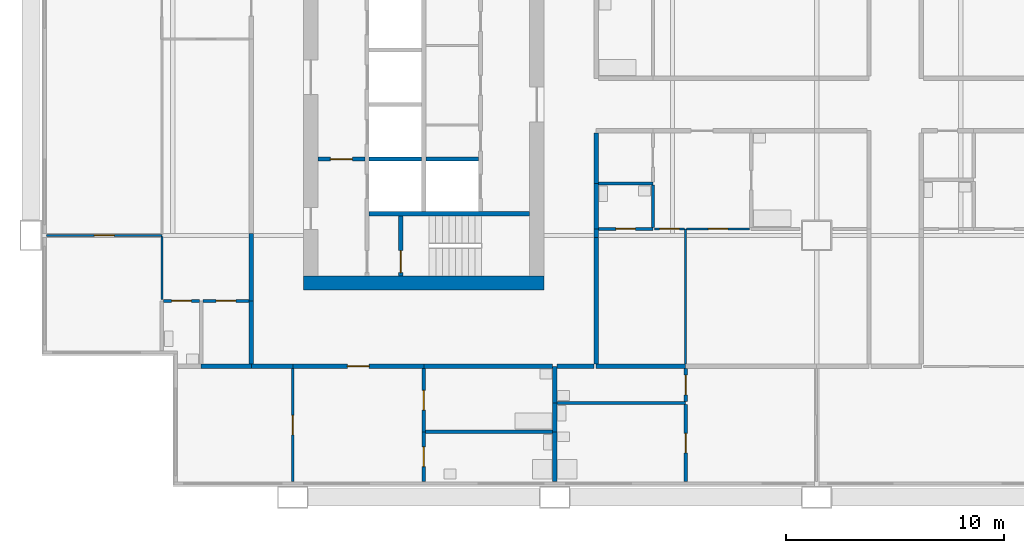
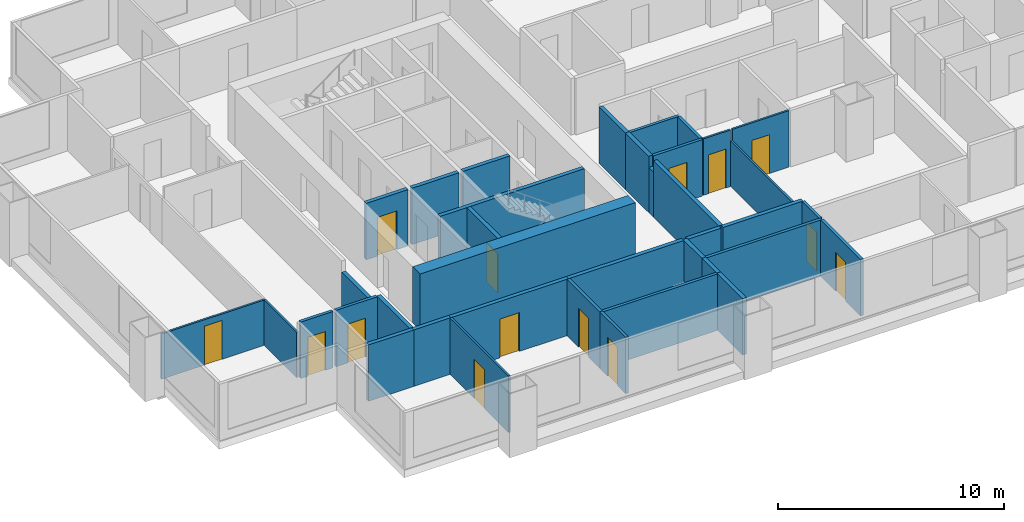
# One storey, part 2 of 11: 38 walls, 14 doors, 14 openings.
"""IFC4 building model written with IfcOpenShell, lengths in metres."""

from ifc_helpers import new_model, si_unit, direction, frame, frame_2d, origin, place, context, subcontext, project, spatial, rectangle, extrude, material, layer, layer_set, type_object, element, fill, save


model = new_model("IFC4")

# Units and contexts
model_context = context("Model", 3, precision=1e-05, world=origin(), true_north=direction((0.0, 1.0)))
body_context = subcontext(model_context, "Body", "Model", "MODEL_VIEW")
ifc_project = project(units=[si_unit("LENGTHUNIT", "METRE"), si_unit("AREAUNIT", "SQUARE_METRE"), si_unit("VOLUMEUNIT", "CUBIC_METRE"), si_unit("PLANEANGLEUNIT", "RADIAN"), si_unit("MASSUNIT", "GRAM", prefix="KILO")], contexts=[model_context])

# Site, building, storey
site_placement = place(None, origin())
site = spatial("IfcSite", under=ifc_project, at=site_placement, CompositionType="ELEMENT")
building_placement = place(site_placement, origin())
building = spatial("IfcBuilding", under=site, at=building_placement, Name="Kitamizu Gate Tower and Museum", CompositionType="ELEMENT")
storey_placement = place(building_placement, frame((0.0, 0.0, 138.0)))
storey = spatial("IfcBuildingStorey", under=building, at=storey_placement, Name="L36", CompositionType="ELEMENT", Elevation=138.0)

# Wall
ifc_material_1 = material(Name="Concrete Fc60", Category="concrete")
ifc_layer_1 = layer(ifc_material_1, 0.64990234375)
ifc_layer_set_1 = layer_set([ifc_layer_1], Name="Concrete Fc60")
wall_type_1 = type_object("IfcWallType", Name="Core wall 650", PredefinedType="SHEAR", material=ifc_layer_set_1)
wall_1_placement = place(storey_placement, frame((12.5, 21.824951171875, 0.0), z_axis=(0.0, 0.0, 1.0), x_axis=(1.0, 0.0, 0.0)))
element("IfcWall", 1, at=wall_1_placement, inside=storey, type_object=wall_type_1, Name="Core wall WS", PredefinedType="SHEAR", context=body_context, shape_type="SweptSolid", body=[
    extrude(rectangle(XDim=11.0, YDim=0.64990234375, at=frame_2d((5.5, 0.0))), origin(), (0.0, 0.0, 1.0), 3.050048828125),
])

# Wall, opening, door
ifc_material_2 = material(Name="Gypsum board on galvanised stud")
ifc_layer_2 = layer(ifc_material_2, 0.10009765625)
ifc_layer_set_2 = layer_set([ifc_layer_2], Name="Gypsum board on galvanised stud")
wall_type_2 = type_object("IfcWallType", Name="Partition 100 NOT RATED", PredefinedType="PARTITIONING", material=ifc_layer_set_2)
wall_2_placement = place(storey_placement, frame((12.0, 12.719970703125, 0.0), z_axis=(0.0, 0.0, 1.0), x_axis=(0.0, 1.0, 0.0)))
wall_2 = element("IfcWall", 2, at=wall_2_placement, inside=storey, type_object=wall_type_2, Name="Partition L36-001", PredefinedType="PARTITIONING", context=body_context, shape_type="SweptSolid", body=[
    extrude(rectangle(XDim=5.179931640625, YDim=0.10009765625, at=frame_2d((2.58984375, 0.0))), origin(), (0.0, 0.0, 1.0), 3.050048828125),
])
opening_1_placement = place(wall_2_placement, frame((2.139892578125, 0.0, 0.0)))
opening_1 = element("IfcOpeningElement", 3, at=opening_1_placement, cuts=wall_2, Name="Opening L36-002", PredefinedType="OPENING", context=body_context, shape_type="SweptSolid", body=[
    extrude(rectangle(XDim=0.89990234375, YDim=2.10009765625, at=frame_2d((0.449951171875, 1.050048828125))), frame((0.0, 0.06005859375, 0.0), z_axis=(0.0, -1.0, 0.0), x_axis=(1.0, 0.0, 0.0)), (0.0, 0.0, 1.0), 0.1201171875),
])
ifc_material_3 = material(Name="Timber door set", Category="wood")
door_type_1 = type_object("IfcDoorType", Name="Room door 900", OperationType="NOTDEFINED", PredefinedType="DOOR", material=ifc_material_3)
door_1_placement = place(opening_1_placement, origin())
door_1 = element("IfcDoor", 4, at=door_1_placement, inside=storey, type_object=door_type_1, Name="Door L36-002", OperationType="SINGLE_SWING_LEFT", OverallHeight=2.10009765625, OverallWidth=0.89990234375, PredefinedType="DOOR", context=body_context, shape_type="SweptSolid", body=[
    extrude(rectangle(XDim=0.89990234375, YDim=2.10009765625, at=frame_2d((0.449951171875, 1.050048828125))), frame((0.0, 0.02490234375, 0.0), z_axis=(0.0, -1.0, 0.0), x_axis=(1.0, 0.0, 0.0)), (0.0, 0.0, 1.0), 0.050048828125),
])
fill(opening_1, door_1)

wall_3_placement = place(storey_placement, frame((6.0, 24.0, 0.0), z_axis=(0.0, 0.0, 1.0), x_axis=(-1.0, 0.0, 0.0)))
wall_3 = element("IfcWall", 5, at=wall_3_placement, inside=storey, type_object=wall_type_2, Name="Partition L36-013", PredefinedType="PARTITIONING", context=body_context, shape_type="SweptSolid", body=[
    extrude(rectangle(XDim=5.280029296875, YDim=0.10009765625, at=frame_2d((2.64013671875, 0.0))), origin(), (0.0, 0.0, 1.0), 2.449951171875),
])
opening_2_placement = place(wall_3_placement, frame((2.18994140625, 0.0, 0.0)))
opening_2 = element("IfcOpeningElement", 6, at=opening_2_placement, cuts=wall_3, Name="Opening L36-009", PredefinedType="OPENING", context=body_context, shape_type="SweptSolid", body=[
    extrude(rectangle(XDim=0.89990234375, YDim=2.10009765625, at=frame_2d((0.449951171875, 1.050048828125))), frame((0.0, 0.06005859375, 0.0), z_axis=(0.0, -1.0, 0.0), x_axis=(1.0, 0.0, 0.0)), (0.0, 0.0, 1.0), 0.1201171875),
])
door_2_placement = place(opening_2_placement, origin())
door_2 = element("IfcDoor", 7, at=door_2_placement, inside=storey, type_object=door_type_1, Name="Door L36-009", OperationType="SINGLE_SWING_LEFT", OverallHeight=2.10009765625, OverallWidth=0.89990234375, PredefinedType="DOOR", context=body_context, shape_type="SweptSolid", body=[
    extrude(rectangle(XDim=0.89990234375, YDim=2.10009765625, at=frame_2d((0.449951171875, 1.050048828125))), frame((0.0, 0.02490234375, 0.0), z_axis=(0.0, -1.0, 0.0), x_axis=(1.0, 0.0, 0.0)), (0.0, 0.0, 1.0), 0.050048828125),
])
fill(opening_2, door_2)

# Walls
wall_4_placement = place(storey_placement, frame((6.0, 21.074951171875, 0.0), z_axis=(0.0, 0.0, 1.0), x_axis=(0.0, 1.0, 0.0)))
element("IfcWall", 8, at=wall_4_placement, inside=storey, type_object=wall_type_2, Name="Partition L36-015", PredefinedType="PARTITIONING", context=body_context, shape_type="SweptSolid", body=[
    extrude(rectangle(XDim=2.875, YDim=0.10009765625, at=frame_2d((1.4375, 0.0))), origin(), (0.0, 0.0, 1.0), 2.449951171875),
])
wall_5_placement = place(storey_placement, frame((30.0, 18.10009765625, 0.0), z_axis=(0.0, 0.0, 1.0), x_axis=(0.0, 1.0, 0.0)))
element("IfcWall", 9, at=wall_5_placement, inside=storey, type_object=wall_type_2, Name="Partition L36-033", PredefinedType="PARTITIONING", context=body_context, shape_type="SweptSolid", body=[
    extrude(rectangle(XDim=6.199951171875, YDim=0.10009765625, at=frame_2d((3.10009765625, 0.0))), origin(), (0.0, 0.0, 1.0), 2.449951171875),
])

# Wall, opening, door
wall_6_placement = place(storey_placement, frame((29.949951171875, 24.300048828125, 0.0), z_axis=(0.0, 0.0, 1.0), x_axis=(-1.0, 0.0, 0.0)))
wall_6 = element("IfcWall", 10, at=wall_6_placement, inside=storey, type_object=wall_type_2, Name="Partition L36-035", PredefinedType="PARTITIONING", context=body_context, shape_type="SweptSolid", body=[
    extrude(rectangle(XDim=1.375, YDim=0.10009765625, at=frame_2d((0.6875, 0.0))), origin(), (0.0, 0.0, 1.0), 3.050048828125),
])
opening_3_placement = place(wall_6_placement, frame((0.237548828125, 0.0, 0.0)))
opening_3 = element("IfcOpeningElement", 11, at=opening_3_placement, cuts=wall_6, Name="Opening L36-014", PredefinedType="OPENING", context=body_context, shape_type="SweptSolid", body=[
    extrude(rectangle(XDim=0.89990234375, YDim=2.10009765625, at=frame_2d((0.449951171875, 1.050048828125))), frame((0.0, 0.06005859375, 0.0), z_axis=(0.0, -1.0, 0.0), x_axis=(1.0, 0.0, 0.0)), (0.0, 0.0, 1.0), 0.1201171875),
])
door_3_placement = place(opening_3_placement, origin())
door_3 = element("IfcDoor", 12, at=door_3_placement, inside=storey, type_object=door_type_1, Name="Door L36-014", OperationType="SINGLE_SWING_RIGHT", OverallHeight=2.10009765625, OverallWidth=0.89990234375, PredefinedType="DOOR", context=body_context, shape_type="SweptSolid", body=[
    extrude(rectangle(XDim=0.89990234375, YDim=2.10009765625, at=frame_2d((0.449951171875, 1.050048828125))), frame((0.0, 0.02490234375, 0.0), z_axis=(0.0, -1.0, 0.0), x_axis=(1.0, 0.0, 0.0)), (0.0, 0.0, 1.0), 0.050048828125),
])
fill(opening_3, door_3)

wall_7_placement = place(storey_placement, frame((32.925048828125, 24.300048828125, 0.0), z_axis=(0.0, 0.0, 1.0), x_axis=(-1.0, 0.0, 0.0)))
wall_7 = element("IfcWall", 13, at=wall_7_placement, inside=storey, type_object=wall_type_2, Name="Partition L36-039", PredefinedType="PARTITIONING", context=body_context, shape_type="SweptSolid", body=[
    extrude(rectangle(XDim=2.875, YDim=0.10009765625, at=frame_2d((1.4375, 0.0))), origin(), (0.0, 0.0, 1.0), 3.050048828125),
])
opening_4_placement = place(wall_7_placement, frame((0.987548828125, 0.0, 0.0)))
opening_4 = element("IfcOpeningElement", 14, at=opening_4_placement, cuts=wall_7, Name="Opening L36-015", PredefinedType="OPENING", context=body_context, shape_type="SweptSolid", body=[
    extrude(rectangle(XDim=0.89990234375, YDim=2.10009765625, at=frame_2d((0.449951171875, 1.050048828125))), frame((0.0, 0.06005859375, 0.0), z_axis=(0.0, -1.0, 0.0), x_axis=(1.0, 0.0, 0.0)), (0.0, 0.0, 1.0), 0.1201171875),
])
door_4_placement = place(opening_4_placement, origin())
door_4 = element("IfcDoor", 15, at=door_4_placement, inside=storey, type_object=door_type_1, Name="Door L36-015", OperationType="SINGLE_SWING_LEFT", OverallHeight=2.10009765625, OverallWidth=0.89990234375, PredefinedType="DOOR", context=body_context, shape_type="SweptSolid", body=[
    extrude(rectangle(XDim=0.89990234375, YDim=2.10009765625, at=frame_2d((0.449951171875, 1.050048828125))), frame((0.0, 0.02490234375, 0.0), z_axis=(0.0, -1.0, 0.0), x_axis=(1.0, 0.0, 0.0)), (0.0, 0.0, 1.0), 0.050048828125),
])
fill(opening_4, door_4)

ifc_material_4 = material(Name="Gypsum board on galvanised stud")
ifc_layer_3 = layer(ifc_material_4, 0.14990234375)
ifc_layer_set_3 = layer_set([ifc_layer_3], Name="Gypsum board on galvanised stud")
wall_type_3 = type_object("IfcWallType", Name="Partition 150", PredefinedType="PARTITIONING", material=ifc_layer_set_3)
wall_8_placement = place(storey_placement, frame((18.0, 12.719970703125, 0.0), z_axis=(0.0, 0.0, 1.0), x_axis=(0.0, 1.0, 0.0)))
wall_8 = element("IfcWall", 16, at=wall_8_placement, inside=storey, type_object=wall_type_3, Name="Partition L36-005", PredefinedType="PARTITIONING", context=body_context, shape_type="SweptSolid", body=[
    extrude(rectangle(XDim=2.280029296875, YDim=0.14990234375, at=frame_2d((1.14013671875, 0.0))), origin(), (0.0, 0.0, 1.0), 3.050048828125),
])
opening_5_placement = place(wall_8_placement, frame((0.68994140625, 0.0, 0.0)))
opening_5 = element("IfcOpeningElement", 17, at=opening_5_placement, cuts=wall_8, Name="Opening L36-003", PredefinedType="OPENING", context=body_context, shape_type="SweptSolid", body=[
    extrude(rectangle(XDim=0.89990234375, YDim=2.10009765625, at=frame_2d((0.449951171875, 1.050048828125))), frame((0.0, 0.0849609375, 0.0), z_axis=(0.0, -1.0, 0.0), x_axis=(1.0, 0.0, 0.0)), (0.0, 0.0, 1.0), 0.169921875),
])
ifc_material_5 = material(Name="Timber door set", Category="wood")
door_type_2 = type_object("IfcDoorType", Name="Bathroom door 900", OperationType="NOTDEFINED", PredefinedType="DOOR", material=ifc_material_5)
door_5_placement = place(opening_5_placement, frame((0.89990234375, 0.0, 0.0), x_axis=(-1.0, 0.0, 0.0)))
door_5 = element("IfcDoor", 18, at=door_5_placement, inside=storey, type_object=door_type_2, Name="Bathroom door L36-003", OperationType="SINGLE_SWING_LEFT", OverallHeight=2.10009765625, OverallWidth=0.89990234375, PredefinedType="DOOR", context=body_context, shape_type="SweptSolid", body=[
    extrude(rectangle(XDim=0.89990234375, YDim=2.10009765625, at=frame_2d((0.449951171875, 1.050048828125))), frame((0.0, 0.02490234375, 0.0), z_axis=(0.0, -1.0, 0.0), x_axis=(1.0, 0.0, 0.0)), (0.0, 0.0, 1.0), 0.050048828125),
])
fill(opening_5, door_5)

wall_9_placement = place(storey_placement, frame((18.0, 15.0, 0.0), z_axis=(0.0, 0.0, 1.0), x_axis=(0.0, 1.0, 0.0)))
wall_9 = element("IfcWall", 19, at=wall_9_placement, inside=storey, type_object=wall_type_3, Name="Partition L36-006", PredefinedType="PARTITIONING", context=body_context, shape_type="SweptSolid", body=[
    extrude(rectangle(XDim=2.89990234375, YDim=0.14990234375, at=frame_2d((1.449951171875, 0.0))), origin(), (0.0, 0.0, 1.0), 3.050048828125),
])
opening_6_placement = place(wall_9_placement, frame((1.0, 0.0, 0.0)))
opening_6 = element("IfcOpeningElement", 20, at=opening_6_placement, cuts=wall_9, Name="Opening L36-004", PredefinedType="OPENING", context=body_context, shape_type="SweptSolid", body=[
    extrude(rectangle(XDim=0.89990234375, YDim=2.10009765625, at=frame_2d((0.449951171875, 1.050048828125))), frame((0.0, 0.0849609375, 0.0), z_axis=(0.0, -1.0, 0.0), x_axis=(1.0, 0.0, 0.0)), (0.0, 0.0, 1.0), 0.169921875),
])
door_6_placement = place(opening_6_placement, frame((0.89990234375, 0.0, 0.0), x_axis=(-1.0, 0.0, 0.0)))
door_6 = element("IfcDoor", 21, at=door_6_placement, inside=storey, type_object=door_type_2, Name="Bathroom door L36-004", OperationType="SINGLE_SWING_RIGHT", OverallHeight=2.10009765625, OverallWidth=0.89990234375, PredefinedType="DOOR", context=body_context, shape_type="SweptSolid", body=[
    extrude(rectangle(XDim=0.89990234375, YDim=2.10009765625, at=frame_2d((0.449951171875, 1.050048828125))), frame((0.0, 0.02490234375, 0.0), z_axis=(0.0, -1.0, 0.0), x_axis=(1.0, 0.0, 0.0)), (0.0, 0.0, 1.0), 0.050048828125),
])
fill(opening_6, door_6)

# Wall
wall_10_placement = place(storey_placement, frame((23.89990234375, 15.0, 0.0), z_axis=(0.0, 0.0, 1.0), x_axis=(-1.0, 0.0, 0.0)))
element("IfcWall", 22, at=wall_10_placement, inside=storey, type_object=wall_type_3, Name="Partition L36-008", PredefinedType="PARTITIONING", context=body_context, shape_type="SweptSolid", body=[
    extrude(rectangle(XDim=5.824951171875, YDim=0.14990234375, at=frame_2d((2.91259765625, 0.0))), origin(), (0.0, 0.0, 1.0), 3.050048828125),
])

# Wall, opening, door
wall_11_placement = place(storey_placement, frame((7.72509765625, 21.0, 0.0), z_axis=(0.0, 0.0, 1.0), x_axis=(-1.0, 0.0, 0.0)))
wall_11 = element("IfcWall", 23, at=wall_11_placement, inside=storey, type_object=wall_type_3, Name="Partition L36-022", PredefinedType="PARTITIONING", context=body_context, shape_type="SweptSolid", body=[
    extrude(rectangle(XDim=1.650146484375, YDim=0.14990234375, at=frame_2d((0.8251953125, 0.0))), origin(), (0.0, 0.0, 1.0), 3.050048828125),
])
opening_7_placement = place(wall_11_placement, frame((0.375, 0.0, 0.0)))
opening_7 = element("IfcOpeningElement", 24, at=opening_7_placement, cuts=wall_11, Name="Opening L36-010", PredefinedType="OPENING", context=body_context, shape_type="SweptSolid", body=[
    extrude(rectangle(XDim=0.89990234375, YDim=2.10009765625, at=frame_2d((0.449951171875, 1.050048828125))), frame((0.0, 0.0849609375, 0.0), z_axis=(0.0, -1.0, 0.0), x_axis=(1.0, 0.0, 0.0)), (0.0, 0.0, 1.0), 0.169921875),
])
door_7_placement = place(opening_7_placement, origin())
door_7 = element("IfcDoor", 25, at=door_7_placement, inside=storey, type_object=door_type_2, Name="Bathroom door L36-010", OperationType="SINGLE_SWING_RIGHT", OverallHeight=2.10009765625, OverallWidth=0.89990234375, PredefinedType="DOOR", context=body_context, shape_type="SweptSolid", body=[
    extrude(rectangle(XDim=0.89990234375, YDim=2.10009765625, at=frame_2d((0.449951171875, 1.050048828125))), frame((0.0, 0.02490234375, 0.0), z_axis=(0.0, -1.0, 0.0), x_axis=(1.0, 0.0, 0.0)), (0.0, 0.0, 1.0), 0.050048828125),
])
fill(opening_7, door_7)

wall_12_placement = place(storey_placement, frame((10.0, 21.0, 0.0), z_axis=(0.0, 0.0, 1.0), x_axis=(-1.0, 0.0, 0.0)))
wall_12 = element("IfcWall", 26, at=wall_12_placement, inside=storey, type_object=wall_type_3, Name="Partition L36-023", PredefinedType="PARTITIONING", context=body_context, shape_type="SweptSolid", body=[
    extrude(rectangle(XDim=2.125, YDim=0.14990234375, at=frame_2d((1.0625, 0.0))), origin(), (0.0, 0.0, 1.0), 3.050048828125),
])
opening_8_placement = place(wall_12_placement, frame((0.612548828125, 0.0, 0.0)))
opening_8 = element("IfcOpeningElement", 27, at=opening_8_placement, cuts=wall_12, Name="Opening L36-011", PredefinedType="OPENING", context=body_context, shape_type="SweptSolid", body=[
    extrude(rectangle(XDim=0.89990234375, YDim=2.10009765625, at=frame_2d((0.449951171875, 1.050048828125))), frame((0.0, 0.0849609375, 0.0), z_axis=(0.0, -1.0, 0.0), x_axis=(1.0, 0.0, 0.0)), (0.0, 0.0, 1.0), 0.169921875),
])
door_8_placement = place(opening_8_placement, origin())
door_8 = element("IfcDoor", 28, at=door_8_placement, inside=storey, type_object=door_type_2, Name="Bathroom door L36-011", OperationType="SINGLE_SWING_LEFT", OverallHeight=2.10009765625, OverallWidth=0.89990234375, PredefinedType="DOOR", context=body_context, shape_type="SweptSolid", body=[
    extrude(rectangle(XDim=0.89990234375, YDim=2.10009765625, at=frame_2d((0.449951171875, 1.050048828125))), frame((0.0, 0.02490234375, 0.0), z_axis=(0.0, -1.0, 0.0), x_axis=(1.0, 0.0, 0.0)), (0.0, 0.0, 1.0), 0.050048828125),
])
fill(opening_8, door_8)

wall_13_placement = place(storey_placement, frame((28.5, 24.300048828125, 0.0), z_axis=(0.0, 0.0, 1.0), x_axis=(-1.0, 0.0, 0.0)))
wall_13 = element("IfcWall", 29, at=wall_13_placement, inside=storey, type_object=wall_type_3, Name="Partition L36-034", PredefinedType="PARTITIONING", context=body_context, shape_type="SweptSolid", body=[
    extrude(rectangle(XDim=2.5, YDim=0.14990234375, at=frame_2d((1.25, 0.0))), origin(), (0.0, 0.0, 1.0), 3.050048828125),
])
opening_9_placement = place(wall_13_placement, frame((0.800048828125, 0.0, 0.0)))
opening_9 = element("IfcOpeningElement", 30, at=opening_9_placement, cuts=wall_13, Name="Opening L36-016", PredefinedType="OPENING", context=body_context, shape_type="SweptSolid", body=[
    extrude(rectangle(XDim=0.89990234375, YDim=2.10009765625, at=frame_2d((0.449951171875, 1.050048828125))), frame((0.0, 0.0849609375, 0.0), z_axis=(0.0, -1.0, 0.0), x_axis=(1.0, 0.0, 0.0)), (0.0, 0.0, 1.0), 0.169921875),
])
door_9_placement = place(opening_9_placement, frame((0.89990234375, 0.0, 0.0), x_axis=(-1.0, 0.0, 0.0)))
door_9 = element("IfcDoor", 31, at=door_9_placement, inside=storey, type_object=door_type_2, Name="Bathroom door L36-016", OperationType="SINGLE_SWING_LEFT", OverallHeight=2.10009765625, OverallWidth=0.89990234375, PredefinedType="DOOR", context=body_context, shape_type="SweptSolid", body=[
    extrude(rectangle(XDim=0.89990234375, YDim=2.10009765625, at=frame_2d((0.449951171875, 1.050048828125))), frame((0.0, 0.02490234375, 0.0), z_axis=(0.0, -1.0, 0.0), x_axis=(1.0, 0.0, 0.0)), (0.0, 0.0, 1.0), 0.050048828125),
])
fill(opening_9, door_9)

# Walls
wall_14_placement = place(storey_placement, frame((28.5, 26.376953125, 0.0), z_axis=(0.0, 0.0, 1.0), x_axis=(-1.0, 0.0, 0.0)))
element("IfcWall", 32, at=wall_14_placement, inside=storey, type_object=wall_type_3, Name="Partition L36-045", PredefinedType="PARTITIONING", context=body_context, shape_type="SweptSolid", body=[
    extrude(rectangle(XDim=2.5, YDim=0.14990234375, at=frame_2d((1.25, 0.0))), origin(), (0.0, 0.0, 1.0), 3.050048828125),
])
wall_15_placement = place(storey_placement, frame((28.5, 24.375, 0.0), z_axis=(0.0, 0.0, 1.0), x_axis=(0.0, 1.0, 0.0)))
element("IfcWall", 33, at=wall_15_placement, inside=storey, type_object=wall_type_3, Name="Partition L36-046", PredefinedType="PARTITIONING", context=body_context, shape_type="SweptSolid", body=[
    extrude(rectangle(XDim=1.927001953125, YDim=0.14990234375, at=frame_2d((0.96337890625, 0.0))), origin(), (0.0, 0.0, 1.0), 3.050048828125),
])
wall_16_placement = place(storey_placement, frame((30.0, 16.320068359375, 0.0), z_axis=(0.0, 0.0, 1.0), x_axis=(-1.0, 0.0, 0.0)))
element("IfcWall", 34, at=wall_16_placement, inside=storey, type_object=wall_type_3, Name="Partition L36-056", PredefinedType="PARTITIONING", context=body_context, shape_type="SweptSolid", body=[
    extrude(rectangle(XDim=5.89990234375, YDim=0.14990234375, at=frame_2d((2.949951171875, 0.0))), origin(), (0.0, 0.0, 1.0), 3.050048828125),
])

# Wall, opening, door
wall_17_placement = place(storey_placement, frame((30.0, 12.719970703125, 0.0), z_axis=(0.0, 0.0, 1.0), x_axis=(0.0, 1.0, 0.0)))
wall_17 = element("IfcWall", 35, at=wall_17_placement, inside=storey, type_object=wall_type_3, Name="Partition L36-057", PredefinedType="PARTITIONING", context=body_context, shape_type="SweptSolid", body=[
    extrude(rectangle(XDim=3.525146484375, YDim=0.14990234375, at=frame_2d((1.7626953125, 0.0))), origin(), (0.0, 0.0, 1.0), 3.050048828125),
])
opening_10_placement = place(wall_17_placement, frame((1.3125, 0.0, 0.0)))
opening_10 = element("IfcOpeningElement", 36, at=opening_10_placement, cuts=wall_17, Name="Opening L36-022", PredefinedType="OPENING", context=body_context, shape_type="SweptSolid", body=[
    extrude(rectangle(XDim=0.89990234375, YDim=2.10009765625, at=frame_2d((0.449951171875, 1.050048828125))), frame((0.0, 0.0849609375, 0.0), z_axis=(0.0, -1.0, 0.0), x_axis=(1.0, 0.0, 0.0)), (0.0, 0.0, 1.0), 0.169921875),
])
door_10_placement = place(opening_10_placement, origin())
door_10 = element("IfcDoor", 37, at=door_10_placement, inside=storey, type_object=door_type_2, Name="Bathroom door L36-022", OperationType="SINGLE_SWING_RIGHT", OverallHeight=2.10009765625, OverallWidth=0.89990234375, PredefinedType="DOOR", context=body_context, shape_type="SweptSolid", body=[
    extrude(rectangle(XDim=0.89990234375, YDim=2.10009765625, at=frame_2d((0.449951171875, 1.050048828125))), frame((0.0, 0.02490234375, 0.0), z_axis=(0.0, -1.0, 0.0), x_axis=(1.0, 0.0, 0.0)), (0.0, 0.0, 1.0), 0.050048828125),
])
fill(opening_10, door_10)

wall_18_placement = place(storey_placement, frame((30.0, 16.39501953125, 0.0), z_axis=(0.0, 0.0, 1.0), x_axis=(0.0, 1.0, 0.0)))
wall_18 = element("IfcWall", 38, at=wall_18_placement, inside=storey, type_object=wall_type_3, Name="Partition L36-058", PredefinedType="PARTITIONING", context=body_context, shape_type="SweptSolid", body=[
    extrude(rectangle(XDim=1.5048828125, YDim=0.14990234375, at=frame_2d((0.75244140625, 0.0))), origin(), (0.0, 0.0, 1.0), 3.050048828125),
])
opening_11_placement = place(wall_18_placement, frame((0.302490234375, 0.0, 0.0)))
opening_11 = element("IfcOpeningElement", 39, at=opening_11_placement, cuts=wall_18, Name="Opening L36-023", PredefinedType="OPENING", context=body_context, shape_type="SweptSolid", body=[
    extrude(rectangle(XDim=0.89990234375, YDim=2.10009765625, at=frame_2d((0.449951171875, 1.050048828125))), frame((0.0, 0.0849609375, 0.0), z_axis=(0.0, -1.0, 0.0), x_axis=(1.0, 0.0, 0.0)), (0.0, 0.0, 1.0), 0.169921875),
])
door_11_placement = place(opening_11_placement, origin())
door_11 = element("IfcDoor", 40, at=door_11_placement, inside=storey, type_object=door_type_2, Name="Bathroom door L36-023", OperationType="SINGLE_SWING_LEFT", OverallHeight=2.10009765625, OverallWidth=0.89990234375, PredefinedType="DOOR", context=body_context, shape_type="SweptSolid", body=[
    extrude(rectangle(XDim=0.89990234375, YDim=2.10009765625, at=frame_2d((0.449951171875, 1.050048828125))), frame((0.0, 0.02490234375, 0.0), z_axis=(0.0, -1.0, 0.0), x_axis=(1.0, 0.0, 0.0)), (0.0, 0.0, 1.0), 0.050048828125),
])
fill(opening_11, door_11)

# Walls
ifc_material_6 = material(Name="Gypsum board on galvanised stud")
ifc_layer_4 = layer(ifc_material_6, 0.199951171875)
ifc_layer_set_4 = layer_set([ifc_layer_4], Name="Gypsum board on galvanised stud")
wall_type_4 = type_object("IfcWallType", Name="Partition 200", PredefinedType="PARTITIONING", material=ifc_layer_set_4)
wall_19_placement = place(storey_placement, frame((10.10009765625, 18.0, 0.0), z_axis=(0.0, 0.0, 1.0), x_axis=(-1.0, 0.0, 0.0)))
element("IfcWall", 41, at=wall_19_placement, inside=storey, type_object=wall_type_4, Name="Partition L36-003", PredefinedType="PARTITIONING", context=body_context, shape_type="SweptSolid", body=[
    extrude(rectangle(XDim=2.300048828125, YDim=0.199951171875, at=frame_2d((1.14990234375, 0.0))), origin(), (0.0, 0.0, 1.0), 3.050048828125),
])
wall_20_placement = place(storey_placement, frame((12.0, 18.0, 0.0), z_axis=(0.0, 0.0, 1.0), x_axis=(-1.0, 0.0, 0.0)))
element("IfcWall", 42, at=wall_20_placement, inside=storey, type_object=wall_type_4, Name="Partition L36-004", PredefinedType="PARTITIONING", context=body_context, shape_type="SweptSolid", body=[
    extrude(rectangle(XDim=1.89990234375, YDim=0.199951171875, at=frame_2d((0.949951171875, 0.0))), origin(), (0.0, 0.0, 1.0), 3.050048828125),
])

# Wall, opening, door
wall_21_placement = place(storey_placement, frame((18.0, 18.0, 0.0), z_axis=(0.0, 0.0, 1.0), x_axis=(-1.0, 0.0, 0.0)))
wall_21 = element("IfcWall", 43, at=wall_21_placement, inside=storey, type_object=wall_type_4, Name="Partition L36-007", PredefinedType="PARTITIONING", context=body_context, shape_type="SweptSolid", body=[
    extrude(rectangle(XDim=6.0, YDim=0.199951171875, at=frame_2d((3.0, 0.0))), origin(), (0.0, 0.0, 1.0), 3.050048828125),
])
opening_12_placement = place(wall_21_placement, frame((2.5, 0.0, 0.0)))
opening_12 = element("IfcOpeningElement", 44, at=opening_12_placement, cuts=wall_21, Name="Opening L36-001", PredefinedType="OPENING", context=body_context, shape_type="SweptSolid", body=[
    extrude(rectangle(XDim=1.0, YDim=2.10009765625, at=frame_2d((0.5, 1.050048828125))), frame((0.0, 0.10986328125, 0.0), z_axis=(0.0, -1.0, 0.0), x_axis=(1.0, 0.0, 0.0)), (0.0, 0.0, 1.0), 0.219970703125),
])
ifc_material_7 = material(Name="Timber door set", Category="wood")
door_type_3 = type_object("IfcDoorType", Name="Flat entrance door 1000", OperationType="NOTDEFINED", PredefinedType="DOOR", material=ifc_material_7)
door_12_placement = place(opening_12_placement, origin())
door_12 = element("IfcDoor", 45, at=door_12_placement, inside=storey, type_object=door_type_3, Name="Flat entrance door L36-001", OperationType="SINGLE_SWING_RIGHT", OverallHeight=2.10009765625, OverallWidth=1.0, PredefinedType="DOOR", context=body_context, shape_type="SweptSolid", body=[
    extrude(rectangle(XDim=1.0, YDim=2.10009765625, at=frame_2d((0.5, 1.050048828125))), frame((0.0, 0.02490234375, 0.0), z_axis=(0.0, -1.0, 0.0), x_axis=(1.0, 0.0, 0.0)), (0.0, 0.0, 1.0), 0.050048828125),
])
fill(opening_12, door_12)

# Walls
wall_22_placement = place(storey_placement, frame((24.0, 12.719970703125, 0.0), z_axis=(0.0, 0.0, 1.0), x_axis=(0.0, 1.0, 0.0)))
element("IfcWall", 46, at=wall_22_placement, inside=storey, type_object=wall_type_4, Name="Partition L36-009", PredefinedType="PARTITIONING", context=body_context, shape_type="SweptSolid", body=[
    extrude(rectangle(XDim=2.280029296875, YDim=0.199951171875, at=frame_2d((1.14013671875, 0.0))), origin(), (0.0, 0.0, 1.0), 3.050048828125),
])
wall_23_placement = place(storey_placement, frame((24.0, 15.0, 0.0), z_axis=(0.0, 0.0, 1.0), x_axis=(0.0, 1.0, 0.0)))
element("IfcWall", 47, at=wall_23_placement, inside=storey, type_object=wall_type_4, Name="Partition L36-010", PredefinedType="PARTITIONING", context=body_context, shape_type="SweptSolid", body=[
    extrude(rectangle(XDim=1.320068359375, YDim=0.199951171875, at=frame_2d((0.66015625, 0.0))), origin(), (0.0, 0.0, 1.0), 3.050048828125),
])
wall_24_placement = place(storey_placement, frame((24.0, 16.320068359375, 0.0), z_axis=(0.0, 0.0, 1.0), x_axis=(0.0, 1.0, 0.0)))
element("IfcWall", 48, at=wall_24_placement, inside=storey, type_object=wall_type_4, Name="Partition L36-011", PredefinedType="PARTITIONING", context=body_context, shape_type="SweptSolid", body=[
    extrude(rectangle(XDim=1.679931640625, YDim=0.199951171875, at=frame_2d((0.83984375, 0.0))), origin(), (0.0, 0.0, 1.0), 3.050048828125),
])
wall_25_placement = place(storey_placement, frame((23.89990234375, 18.0, 0.0), z_axis=(0.0, 0.0, 1.0), x_axis=(-1.0, 0.0, 0.0)))
element("IfcWall", 49, at=wall_25_placement, inside=storey, type_object=wall_type_4, Name="Partition L36-012", PredefinedType="PARTITIONING", context=body_context, shape_type="SweptSolid", body=[
    extrude(rectangle(XDim=5.89990234375, YDim=0.199951171875, at=frame_2d((2.949951171875, 0.0))), origin(), (0.0, 0.0, 1.0), 3.050048828125),
])
wall_26_placement = place(storey_placement, frame((10.10009765625, 18.10009765625, 0.0), z_axis=(0.0, 0.0, 1.0), x_axis=(0.0, 1.0, 0.0)))
element("IfcWall", 50, at=wall_26_placement, inside=storey, type_object=wall_type_4, Name="Partition L36-024", PredefinedType="PARTITIONING", context=body_context, shape_type="SweptSolid", body=[
    extrude(rectangle(XDim=2.89990234375, YDim=0.199951171875, at=frame_2d((1.449951171875, 0.0))), origin(), (0.0, 0.0, 1.0), 3.050048828125),
])
wall_27_placement = place(storey_placement, frame((10.10009765625, 21.0, 0.0), z_axis=(0.0, 0.0, 1.0), x_axis=(0.0, 1.0, 0.0)))
element("IfcWall", 51, at=wall_27_placement, inside=storey, type_object=wall_type_4, Name="Partition L36-026", PredefinedType="PARTITIONING", context=body_context, shape_type="SweptSolid", body=[
    extrude(rectangle(XDim=3.10009765625, YDim=0.199951171875, at=frame_2d((1.550048828125, 0.0))), origin(), (0.0, 0.0, 1.0), 2.449951171875),
])
wall_28_placement = place(storey_placement, frame((25.89990234375, 18.0, 0.0), z_axis=(0.0, 0.0, 1.0), x_axis=(1.0, 0.0, 0.0)))
element("IfcWall", 52, at=wall_28_placement, inside=storey, type_object=wall_type_4, Name="Partition L36-036", PredefinedType="PARTITIONING", context=body_context, shape_type="SweptSolid", body=[
    extrude(rectangle(XDim=4.10009765625, YDim=0.199951171875, at=frame_2d((2.050048828125, 0.0))), origin(), (0.0, 0.0, 1.0), 3.050048828125),
])
wall_29_placement = place(storey_placement, frame((25.89990234375, 24.300048828125, 0.0), z_axis=(0.0, 0.0, 1.0), x_axis=(0.0, -1.0, 0.0)))
element("IfcWall", 53, at=wall_29_placement, inside=storey, type_object=wall_type_4, Name="Partition L36-037", PredefinedType="PARTITIONING", context=body_context, shape_type="SweptSolid", body=[
    extrude(rectangle(XDim=0.400146484375, YDim=0.199951171875, at=frame_2d((0.2001953125, 0.0))), origin(), (0.0, 0.0, 1.0), 2.449951171875),
])
wall_30_placement = place(storey_placement, frame((25.89990234375, 23.89990234375, 0.0), z_axis=(0.0, 0.0, 1.0), x_axis=(0.0, -1.0, 0.0)))
element("IfcWall", 54, at=wall_30_placement, inside=storey, type_object=wall_type_4, Name="Partition L36-038", PredefinedType="PARTITIONING", context=body_context, shape_type="SweptSolid", body=[
    extrude(rectangle(XDim=5.7998046875, YDim=0.199951171875, at=frame_2d((2.89990234375, 0.0))), origin(), (0.0, 0.0, 1.0), 3.050048828125),
])
wall_31_placement = place(storey_placement, frame((25.89990234375, 26.376953125, 0.0), z_axis=(0.0, 0.0, 1.0), x_axis=(0.0, -1.0, 0.0)))
element("IfcWall", 55, at=wall_31_placement, inside=storey, type_object=wall_type_4, Name="Partition L36-047", PredefinedType="PARTITIONING", context=body_context, shape_type="SweptSolid", body=[
    extrude(rectangle(XDim=2.076904296875, YDim=0.199951171875, at=frame_2d((1.03857421875, 0.0))), origin(), (0.0, 0.0, 1.0), 3.050048828125),
])
wall_32_placement = place(storey_placement, frame((25.89990234375, 28.699951171875, 0.0), z_axis=(0.0, 0.0, 1.0), x_axis=(0.0, -1.0, 0.0)))
element("IfcWall", 56, at=wall_32_placement, inside=storey, type_object=wall_type_4, Name="Partition L36-050", PredefinedType="PARTITIONING", context=body_context, shape_type="SweptSolid", body=[
    extrude(rectangle(XDim=2.322998046875, YDim=0.199951171875, at=frame_2d((1.16162109375, 0.0))), origin(), (0.0, 0.0, 1.0), 3.050048828125),
])
wall_33_placement = place(storey_placement, frame((25.800048828125, 18.0, 0.0), z_axis=(0.0, 0.0, 1.0), x_axis=(-1.0, 0.0, 0.0)))
element("IfcWall", 57, at=wall_33_placement, inside=storey, type_object=wall_type_4, Name="Partition L36-059", PredefinedType="PARTITIONING", context=body_context, shape_type="SweptSolid", body=[
    extrude(rectangle(XDim=1.699951171875, YDim=0.199951171875, at=frame_2d((0.85009765625, 0.0))), origin(), (0.0, 0.0, 1.0), 3.050048828125),
])
ifc_material_8 = material(Name="Concrete Fc42", Category="concrete")
ifc_layer_5 = layer(ifc_material_8, 0.199951171875)
ifc_layer_set_5 = layer_set([ifc_layer_5], Name="Concrete Fc42")
wall_type_5 = type_object("IfcWallType", Name="Shaft wall 200", PredefinedType="SOLIDWALL", material=ifc_layer_set_5)
wall_34_placement = place(storey_placement, frame((15.5, 25.0, 0.0), z_axis=(0.0, 0.0, 1.0), x_axis=(1.0, 0.0, 0.0)))
element("IfcWall", 58, at=wall_34_placement, inside=storey, type_object=wall_type_5, Name="Shaft wall WSB", PredefinedType="SOLIDWALL", context=body_context, shape_type="SweptSolid", body=[
    extrude(rectangle(XDim=7.35009765625, YDim=0.199951171875, at=frame_2d((3.675048828125, 0.0))), origin(), (0.0, 0.0, 1.0), 3.050048828125),
])

# Wall, opening, door
wall_35_placement = place(storey_placement, frame((13.14990234375, 27.5, 0.0), z_axis=(0.0, 0.0, 1.0), x_axis=(1.0, 0.0, 0.0)))
wall_35 = element("IfcWall", 59, at=wall_35_placement, inside=storey, type_object=wall_type_5, Name="Shaft wall WFFN", PredefinedType="SOLIDWALL", context=body_context, shape_type="SweptSolid", body=[
    extrude(rectangle(XDim=2.150146484375, YDim=0.199951171875, at=frame_2d((1.0751953125, 0.0))), origin(), (0.0, 0.0, 1.0), 3.050048828125),
])
opening_13_placement = place(wall_35_placement, frame((0.574951171875, 0.0, 0.0)))
opening_13 = element("IfcOpeningElement", 60, at=opening_13_placement, cuts=wall_35, Name="Opening L36-059", PredefinedType="OPENING", context=body_context, shape_type="SweptSolid", body=[
    extrude(rectangle(XDim=1.0, YDim=2.10009765625, at=frame_2d((0.5, 1.050048828125))), frame((0.0, 0.10986328125, 0.0), z_axis=(0.0, -1.0, 0.0), x_axis=(1.0, 0.0, 0.0)), (0.0, 0.0, 1.0), 0.219970703125),
])
ifc_material_9 = material(Name="Hollow metal door set")
door_type_4 = type_object("IfcDoorType", Name="Fire door 1000", OperationType="NOTDEFINED", PredefinedType="DOOR", material=ifc_material_9)
door_13_placement = place(opening_13_placement, frame((1.0, 0.0, 0.0), x_axis=(-1.0, 0.0, 0.0)))
door_13 = element("IfcDoor", 61, at=door_13_placement, inside=storey, type_object=door_type_4, Name="Fire-fighting lobby door L36-059", OperationType="SINGLE_SWING_LEFT", OverallHeight=2.10009765625, OverallWidth=1.0, PredefinedType="DOOR", context=body_context, shape_type="SweptSolid", body=[
    extrude(rectangle(XDim=1.0, YDim=2.10009765625, at=frame_2d((0.5, 1.050048828125))), frame((0.0, 0.02490234375, 0.0), z_axis=(0.0, -1.0, 0.0), x_axis=(1.0, 0.0, 0.0)), (0.0, 0.0, 1.0), 0.050048828125),
])
fill(opening_13, door_13)

wall_36_placement = place(storey_placement, frame((16.949951171875, 22.14990234375, 0.0), z_axis=(0.0, 0.0, 1.0), x_axis=(0.0, 1.0, 0.0)))
wall_36 = element("IfcWall", 62, at=wall_36_placement, inside=storey, type_object=wall_type_5, Name="Shaft wall WSZ", PredefinedType="SOLIDWALL", context=body_context, shape_type="SweptSolid", body=[
    extrude(rectangle(XDim=2.75, YDim=0.199951171875, at=frame_2d((1.375, 0.0))), origin(), (0.0, 0.0, 1.0), 3.050048828125),
])
opening_14_placement = place(wall_36_placement, frame((0.14990234375, 0.0, 0.0)))
opening_14 = element("IfcOpeningElement", 63, at=opening_14_placement, cuts=wall_36, Name="Opening L36-055", PredefinedType="OPENING", context=body_context, shape_type="SweptSolid", body=[
    extrude(rectangle(XDim=1.0, YDim=2.10009765625, at=frame_2d((0.5, 1.050048828125))), frame((0.0, 0.10986328125, 0.0), z_axis=(0.0, -1.0, 0.0), x_axis=(1.0, 0.0, 0.0)), (0.0, 0.0, 1.0), 0.219970703125),
])
door_14_placement = place(opening_14_placement, frame((1.0, 0.0, 0.0), x_axis=(-1.0, 0.0, 0.0)))
door_14 = element("IfcDoor", 64, at=door_14_placement, inside=storey, type_object=door_type_4, Name="Stair door L36-055", OperationType="SINGLE_SWING_LEFT", OverallHeight=2.10009765625, OverallWidth=1.0, PredefinedType="DOOR", context=body_context, shape_type="SweptSolid", body=[
    extrude(rectangle(XDim=1.0, YDim=2.10009765625, at=frame_2d((0.5, 1.050048828125))), frame((0.0, 0.02490234375, 0.0), z_axis=(0.0, -1.0, 0.0), x_axis=(1.0, 0.0, 0.0)), (0.0, 0.0, 1.0), 0.050048828125),
])
fill(opening_14, door_14)

# Walls
for number, where, z_axis, x_axis, name in (
    (65, (15.5, 27.5, 0.0), (0.0, 0.0, 1.0), (1.0, 0.0, 0.0), "Shaft wall WDVW0"),
    (66, (18.10009765625, 27.5, 0.0), (0.0, 0.0, 1.0), (1.0, 0.0, 0.0), "Shaft wall WDVE0"),
):
    element("IfcWall", number, at=place(storey_placement, frame(where, z_axis=z_axis, x_axis=x_axis)), inside=storey, type_object=wall_type_5, Name=name, PredefinedType="SOLIDWALL", context=body_context, shape_type="SweptSolid", body=[
        extrude(rectangle(XDim=2.39990234375, YDim=0.199951171875, at=frame_2d((1.199951171875, 0.0))), origin(), (0.0, 0.0, 1.0), 3.050048828125),
    ])

save(model, "model.ifc")
